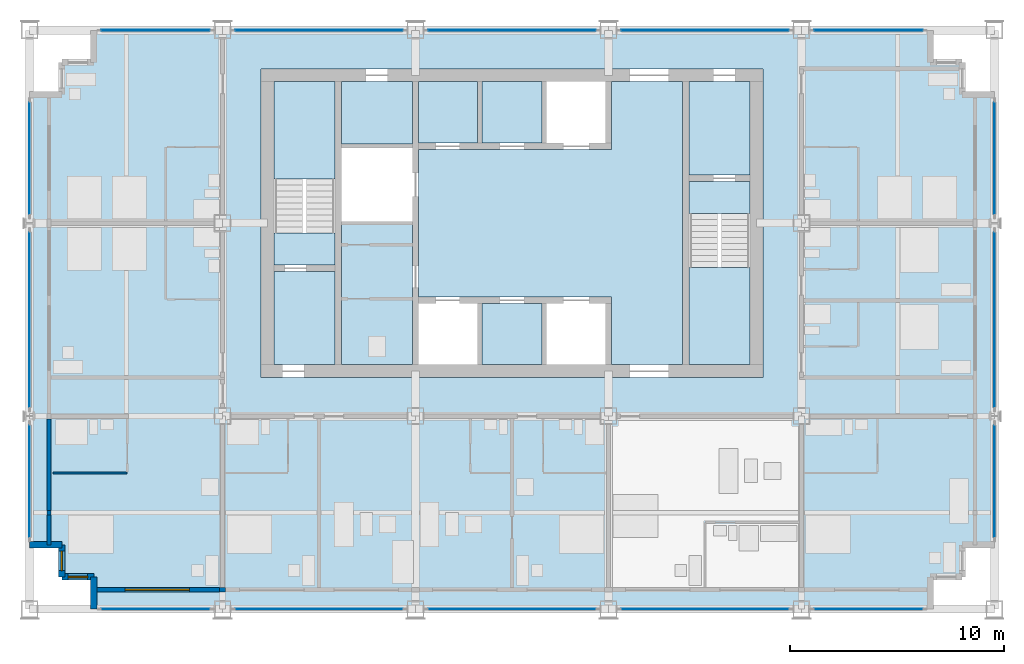
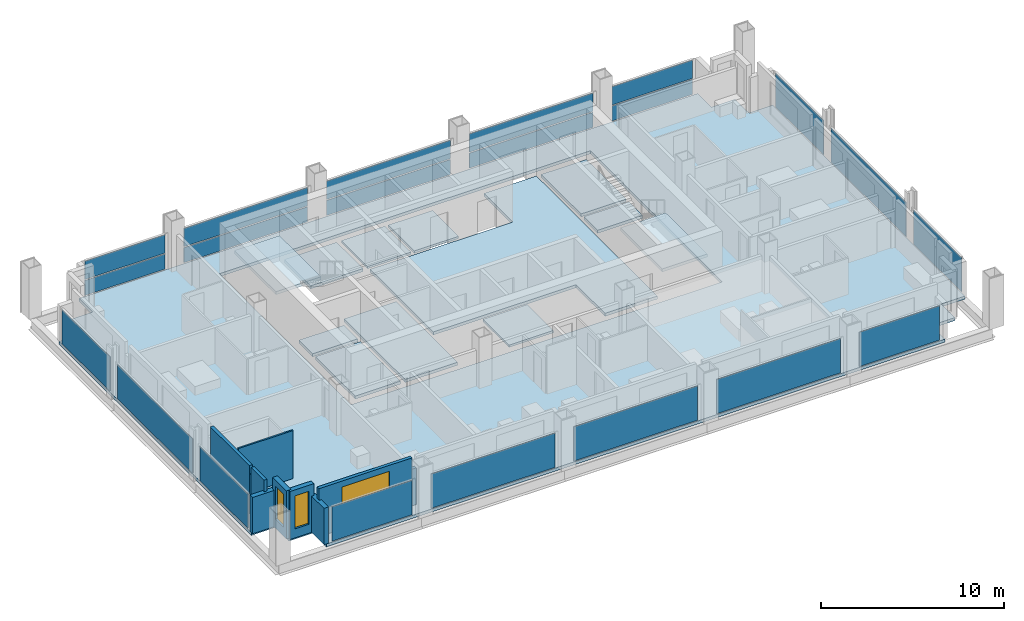
# One storey, part 6 of 13: 21 plates, 13 slabs, 10 walls, 3 windows, 3 openings, 18 elements without a shape of their own.
"""IFC4 building model written with IfcOpenShell, lengths in metres."""

from ifc_helpers import new_model, si_unit, direction, frame, frame_2d, origin, origin_2d, place, context, subcontext, project, spatial, polyline, rectangle, outline, extrude, material, layer, layer_set, type_object, element, fill, aggregate, save


model = new_model("IFC4")

# Units and contexts
model_context = context("Model", 3, precision=1e-05, world=origin(), true_north=direction((0.0, 1.0)))
body_context = subcontext(model_context, "Body", "Model", "MODEL_VIEW")
ifc_project = project(units=[si_unit("LENGTHUNIT", "METRE"), si_unit("AREAUNIT", "SQUARE_METRE"), si_unit("VOLUMEUNIT", "CUBIC_METRE"), si_unit("PLANEANGLEUNIT", "RADIAN"), si_unit("MASSUNIT", "GRAM", prefix="KILO")], contexts=[model_context])

# Site, building, storey
site_placement = place(None, origin())
site = spatial("IfcSite", under=ifc_project, at=site_placement, CompositionType="ELEMENT")
building_placement = place(site_placement, origin())
building = spatial("IfcBuilding", under=site, at=building_placement, Name="Loomwork Tower", CompositionType="ELEMENT")
storey_placement = place(building_placement, frame((0.0, 0.0, 197.800048828125)))
storey = spatial("IfcBuildingStorey", under=building, at=storey_placement, Name="L54", CompositionType="ELEMENT", Elevation=197.800048828125)

# Slabs
ifc_material_1 = material(Name="Concrete 5000 psi (34 MPa) on composite metal deck", Category="concrete")
ifc_layer_1 = layer(ifc_material_1, 0.199951171875)
ifc_layer_set_1 = layer_set([ifc_layer_1], Name="Floor slab 200")
slab_type_1 = type_object("IfcSlabType", Name="Floor slab 200", PredefinedType="FLOOR", material=ifc_layer_set_1)
slab_1_placement = place(storey_placement, frame((0.0, 0.0, -0.199951171875)))
element("IfcSlab", 1, at=slab_1_placement, inside=storey, type_object=slab_type_1, Name="Floor slab L54", PredefinedType="FLOOR", context=body_context, shape_type="SweptSolid", body=[
    extrude(outline(polyline([(3.0, 1.5), (1.5, 1.5), (1.5, 3.0), (0.0, 3.0), (0.0, 24.0), (1.5, 24.0), (1.5, 25.5), (3.0, 25.5), (3.0, 27.0), (42.0, 27.0), (42.0, 25.5), (43.5, 25.5), (43.5, 24.0), (45.0, 24.0), (45.0, 3.0), (43.5, 3.0), (43.5, 1.5), (42.0, 1.5), (42.0, 0.0), (3.0, 0.0), (3.0, 1.5)]), holes=[polyline([(10.800048828125, 11.39990234375), (10.800048828125, 11.39990234375), (10.800048828125, 10.800048828125), (34.199951171875, 10.800048828125), (34.199951171875, 11.39990234375), (34.199951171875, 11.39990234375), (34.199951171875, 24.60009765625), (34.199951171875, 25.199951171875), (10.800048828125, 25.199951171875), (10.800048828125, 24.60009765625), (10.800048828125, 11.39990234375)])]), origin(), (0.0, 0.0, 1.0), 0.199951171875),
])
slab_2_placement = place(storey_placement, frame((0.0, 0.0, -0.199951171875)))
element("IfcSlab", 2, at=slab_2_placement, inside=storey, type_object=slab_type_1, Name="Floor slab L54", PredefinedType="FLOOR", context=body_context, shape_type="SweptSolid", body=[
    extrude(outline(polyline([(30.449951171875, 24.60009765625), (30.449951171875, 11.39990234375), (27.14990234375, 11.39990234375), (27.14990234375, 14.25), (27.14990234375, 14.550048828125), (18.14990234375, 14.550048828125), (18.14990234375, 21.449951171875), (27.14990234375, 21.449951171875), (27.14990234375, 21.75), (27.14990234375, 24.60009765625), (30.449951171875, 24.60009765625)])), origin(), (0.0, 0.0, 1.0), 0.199951171875),
])
slab_3_placement = place(storey_placement, frame((0.0, 0.0, -0.199951171875)))
element("IfcSlab", 3, at=slab_3_placement, inside=storey, type_object=slab_type_1, Name="Floor slab L54", PredefinedType="FLOOR", context=body_context, shape_type="SweptSolid", body=[
    extrude(outline(polyline([(14.550048828125, 11.39990234375), (14.550048828125, 18.074951171875), (17.85009765625, 18.074951171875), (17.85009765625, 11.39990234375), (14.550048828125, 11.39990234375)])), origin(), (0.0, 0.0, 1.0), 0.199951171875),
])
slab_4_placement = place(storey_placement, frame((0.0, 0.0, -0.199951171875)))
element("IfcSlab", 4, at=slab_4_placement, inside=storey, type_object=slab_type_1, Name="Floor slab L54", PredefinedType="FLOOR", context=body_context, shape_type="SweptSolid", body=[
    extrude(outline(polyline([(33.60009765625, 20.25), (30.75, 20.25), (30.75, 24.60009765625), (33.60009765625, 24.60009765625), (33.60009765625, 20.25)])), origin(), (0.0, 0.0, 1.0), 0.199951171875),
])
slab_5_placement = place(storey_placement, frame((0.0, 0.0, -0.199951171875)))
element("IfcSlab", 5, at=slab_5_placement, inside=storey, type_object=slab_type_1, Name="Floor slab L54", PredefinedType="FLOOR", context=body_context, shape_type="SweptSolid", body=[
    extrude(outline(polyline([(14.25, 15.75), (14.25, 11.39990234375), (11.39990234375, 11.39990234375), (11.39990234375, 15.75), (14.25, 15.75)])), origin(), (0.0, 0.0, 1.0), 0.199951171875),
])
slab_6_placement = place(storey_placement, frame((0.0, 0.0, -0.199951171875)))
element("IfcSlab", 6, at=slab_6_placement, inside=storey, type_object=slab_type_1, Name="Floor slab L54", PredefinedType="FLOOR", context=body_context, shape_type="SweptSolid", body=[
    extrude(outline(polyline([(14.550048828125, 21.699951171875), (14.550048828125, 24.60009765625), (17.85009765625, 24.60009765625), (17.85009765625, 21.699951171875), (14.550048828125, 21.699951171875)])), origin(), (0.0, 0.0, 1.0), 0.199951171875),
])

# Curtain wall, plate
ifc_material_2 = material(Name="Aluminium curtain wall frame", Category="aluminium")
curtain_wall_type_1 = type_object("IfcCurtainWallType", Name="Outer skin glazing hotel", PredefinedType="NOTDEFINED", material=ifc_material_2)
curtain_wall_1_placement = place(storey_placement, origin())
curtain_wall_1 = element("IfcCurtainWall", 7, at=curtain_wall_1_placement, inside=storey, type_object=curtain_wall_type_1, Name="Outer skin glazing hotel cw/S-0", PredefinedType="NOTDEFINED")
ifc_material_3 = material(Name="Clear laminated glass", Category="glass")
ifc_layer_2 = layer(ifc_material_3, 0.02392578125)
ifc_layer_set_2 = layer_set([ifc_layer_2], Name="Outer skin glazing hotel panel")
plate_type_1 = type_object("IfcPlateType", Name="Outer skin glazing hotel panel", PredefinedType="CURTAIN_PANEL", material=ifc_layer_set_2)
plate_1_placement = place(storey_placement, frame((5.875, 0.0, 0.06494140625), z_axis=(0.0, 0.0, 1.0), x_axis=(1.0, 0.0, 0.0)))
plate_1 = element("IfcPlate", 8, at=plate_1_placement, type_object=plate_type_1, Name="CW1 panel 1.1", PredefinedType="CURTAIN_PANEL", context=body_context, shape_type="SweptSolid", body=[
    extrude(rectangle(XDim=5.050048828125, YDim=0.02392578125, at=origin_2d()), origin(), (0.0, 0.0, 1.0), 2.290283203125),
])
aggregate(curtain_wall_1, [plate_1])

curtain_wall_2_placement = place(storey_placement, origin())
curtain_wall_2 = element("IfcCurtainWall", 9, at=curtain_wall_2_placement, inside=storey, type_object=curtain_wall_type_1, Name="Outer skin glazing hotel cw/S-9", PredefinedType="NOTDEFINED")
plate_2_placement = place(storey_placement, frame((13.5, 0.0, 0.06494140625), z_axis=(0.0, 0.0, 1.0), x_axis=(1.0, 0.0, 0.0)))
plate_2 = element("IfcPlate", 10, at=plate_2_placement, type_object=plate_type_1, Name="CW1 panel 1.1", PredefinedType="CURTAIN_PANEL", context=body_context, shape_type="SweptSolid", body=[
    extrude(rectangle(XDim=7.800048828125, YDim=0.02392578125, at=origin_2d()), origin(), (0.0, 0.0, 1.0), 2.290283203125),
])
aggregate(curtain_wall_2, [plate_2])

curtain_wall_3_placement = place(storey_placement, origin())
curtain_wall_3 = element("IfcCurtainWall", 11, at=curtain_wall_3_placement, inside=storey, type_object=curtain_wall_type_1, Name="Outer skin glazing hotel cw/S-18", PredefinedType="NOTDEFINED")
plate_3_placement = place(storey_placement, frame((22.5, 0.0, 0.06494140625), z_axis=(0.0, 0.0, 1.0), x_axis=(1.0, 0.0, 0.0)))
plate_3 = element("IfcPlate", 12, at=plate_3_placement, type_object=plate_type_1, Name="CW1 panel 1.1", PredefinedType="CURTAIN_PANEL", context=body_context, shape_type="SweptSolid", body=[
    extrude(rectangle(XDim=7.800048828125, YDim=0.02392578125, at=origin_2d()), origin(), (0.0, 0.0, 1.0), 2.290283203125),
])
aggregate(curtain_wall_3, [plate_3])

curtain_wall_4_placement = place(storey_placement, origin())
curtain_wall_4 = element("IfcCurtainWall", 13, at=curtain_wall_4_placement, inside=storey, type_object=curtain_wall_type_1, Name="Outer skin glazing hotel cw/S-27", PredefinedType="NOTDEFINED")
plate_4_placement = place(storey_placement, frame((31.5, 0.0, 0.06494140625), z_axis=(0.0, 0.0, 1.0), x_axis=(1.0, 0.0, 0.0)))
plate_4 = element("IfcPlate", 14, at=plate_4_placement, type_object=plate_type_1, Name="CW1 panel 1.1", PredefinedType="CURTAIN_PANEL", context=body_context, shape_type="SweptSolid", body=[
    extrude(rectangle(XDim=7.800048828125, YDim=0.02392578125, at=origin_2d()), origin(), (0.0, 0.0, 1.0), 2.290283203125),
])
aggregate(curtain_wall_4, [plate_4])

curtain_wall_5_placement = place(storey_placement, origin())
curtain_wall_5 = element("IfcCurtainWall", 15, at=curtain_wall_5_placement, inside=storey, type_object=curtain_wall_type_1, Name="Outer skin glazing hotel cw/S-36", PredefinedType="NOTDEFINED")
plate_5_placement = place(storey_placement, frame((39.125, 0.0, 0.06494140625), z_axis=(0.0, 0.0, 1.0), x_axis=(1.0, 0.0, 0.0)))
plate_5 = element("IfcPlate", 16, at=plate_5_placement, type_object=plate_type_1, Name="CW1 panel 1.1", PredefinedType="CURTAIN_PANEL", context=body_context, shape_type="SweptSolid", body=[
    extrude(rectangle(XDim=5.050048828125, YDim=0.02392578125, at=origin_2d()), origin(), (0.0, 0.0, 1.0), 2.290283203125),
])
aggregate(curtain_wall_5, [plate_5])

curtain_wall_6_placement = place(storey_placement, origin())
curtain_wall_6 = element("IfcCurtainWall", 17, at=curtain_wall_6_placement, inside=storey, type_object=curtain_wall_type_1, Name="Outer skin glazing hotel cw/W-0", PredefinedType="NOTDEFINED")
plate_6_placement = place(storey_placement, frame((0.0, 5.96826171875, 0.06494140625), z_axis=(0.0, 0.0, 1.0), x_axis=(0.0, -1.0, 0.0)))
plate_6 = element("IfcPlate", 18, at=plate_6_placement, type_object=plate_type_1, Name="CW1 panel 1.1", PredefinedType="CURTAIN_PANEL", context=body_context, shape_type="SweptSolid", body=[
    extrude(rectangle(XDim=5.236572265625, YDim=0.02392578125, at=origin_2d()), origin(), (0.0, 0.0, 1.0), 2.290283203125),
])
aggregate(curtain_wall_6, [plate_6])

curtain_wall_7_placement = place(storey_placement, origin())
curtain_wall_7 = element("IfcCurtainWall", 19, at=curtain_wall_7_placement, inside=storey, type_object=curtain_wall_type_1, Name="Outer skin glazing hotel cw/W-9", PredefinedType="NOTDEFINED")
plate_7_placement = place(storey_placement, frame((0.0, 13.5, 0.06494140625), z_axis=(0.0, 0.0, 1.0), x_axis=(0.0, -1.0, 0.0)))
plate_7 = element("IfcPlate", 20, at=plate_7_placement, type_object=plate_type_1, Name="CW1 panel 1.1", PredefinedType="CURTAIN_PANEL", context=body_context, shape_type="SweptSolid", body=[
    extrude(rectangle(XDim=8.173095703125, YDim=0.02392578125, at=origin_2d()), origin(), (0.0, 0.0, 1.0), 2.290283203125),
])
aggregate(curtain_wall_7, [plate_7])

curtain_wall_8_placement = place(storey_placement, origin())
curtain_wall_8 = element("IfcCurtainWall", 21, at=curtain_wall_8_placement, inside=storey, type_object=curtain_wall_type_1, Name="Outer skin glazing hotel cw/W-18", PredefinedType="NOTDEFINED")
plate_8_placement = place(storey_placement, frame((0.0, 21.03173828125, 0.06494140625), z_axis=(0.0, 0.0, 1.0), x_axis=(0.0, -1.0, 0.0)))
plate_8 = element("IfcPlate", 22, at=plate_8_placement, type_object=plate_type_1, Name="CW1 panel 1.1", PredefinedType="CURTAIN_PANEL", context=body_context, shape_type="SweptSolid", body=[
    extrude(rectangle(XDim=5.236572265625, YDim=0.02392578125, at=origin_2d()), origin(), (0.0, 0.0, 1.0), 2.290283203125),
])
aggregate(curtain_wall_8, [plate_8])

curtain_wall_9_placement = place(storey_placement, origin())
curtain_wall_9 = element("IfcCurtainWall", 23, at=curtain_wall_9_placement, inside=storey, type_object=curtain_wall_type_1, Name="Outer skin glazing hotel cw/E-0", PredefinedType="NOTDEFINED")
plate_9_placement = place(storey_placement, frame((45.0, 5.96826171875, 0.06494140625), z_axis=(0.0, 0.0, 1.0), x_axis=(0.0, 1.0, 0.0)))
plate_9 = element("IfcPlate", 24, at=plate_9_placement, type_object=plate_type_1, Name="CW1 panel 1.1", PredefinedType="CURTAIN_PANEL", context=body_context, shape_type="SweptSolid", body=[
    extrude(rectangle(XDim=5.236572265625, YDim=0.02392578125, at=origin_2d()), origin(), (0.0, 0.0, 1.0), 2.290283203125),
])
aggregate(curtain_wall_9, [plate_9])

curtain_wall_10_placement = place(storey_placement, origin())
curtain_wall_10 = element("IfcCurtainWall", 25, at=curtain_wall_10_placement, inside=storey, type_object=curtain_wall_type_1, Name="Outer skin glazing hotel cw/E-9", PredefinedType="NOTDEFINED")
plate_10_placement = place(storey_placement, frame((45.0, 13.5, 0.06494140625), z_axis=(0.0, 0.0, 1.0), x_axis=(0.0, 1.0, 0.0)))
plate_10 = element("IfcPlate", 26, at=plate_10_placement, type_object=plate_type_1, Name="CW1 panel 1.1", PredefinedType="CURTAIN_PANEL", context=body_context, shape_type="SweptSolid", body=[
    extrude(rectangle(XDim=8.173095703125, YDim=0.02392578125, at=origin_2d()), origin(), (0.0, 0.0, 1.0), 2.290283203125),
])
aggregate(curtain_wall_10, [plate_10])

curtain_wall_11_placement = place(storey_placement, origin())
curtain_wall_11 = element("IfcCurtainWall", 27, at=curtain_wall_11_placement, inside=storey, type_object=curtain_wall_type_1, Name="Outer skin glazing hotel cw/E-18", PredefinedType="NOTDEFINED")
plate_11_placement = place(storey_placement, frame((45.0, 21.03173828125, 0.06494140625), z_axis=(0.0, 0.0, 1.0), x_axis=(0.0, 1.0, 0.0)))
plate_11 = element("IfcPlate", 28, at=plate_11_placement, type_object=plate_type_1, Name="CW1 panel 1.1", PredefinedType="CURTAIN_PANEL", context=body_context, shape_type="SweptSolid", body=[
    extrude(rectangle(XDim=5.236572265625, YDim=0.02392578125, at=origin_2d()), origin(), (0.0, 0.0, 1.0), 2.290283203125),
])
aggregate(curtain_wall_11, [plate_11])

# Slabs
ifc_material_4 = material(Name="Concrete 5000 psi (34 MPa) on composite metal deck", Category="concrete")
ifc_layer_3 = layer(ifc_material_4, 0.14990234375)
ifc_layer_set_3 = layer_set([ifc_layer_3], Name="Shaft infill floor 150")
slab_type_2 = type_object("IfcSlabType", Name="Shaft infill floor 150", PredefinedType="FLOOR", material=ifc_layer_set_3)
slab_7_placement = place(storey_placement, frame((0.0, 0.0, -0.150146484375)))
element("IfcSlab", 29, at=slab_7_placement, inside=storey, type_object=slab_type_2, Name="Shaft infill floor LS1 L54", PredefinedType="FLOOR", context=body_context, shape_type="SweptSolid", body=[
    extrude(outline(polyline([(18.14990234375, 21.75), (20.89990234375, 21.75), (20.89990234375, 24.60009765625), (18.14990234375, 24.60009765625), (18.14990234375, 21.75)])), origin(), (0.0, 0.0, 1.0), 0.150146484375),
])
slab_8_placement = place(storey_placement, frame((0.0, 0.0, -0.150146484375)))
element("IfcSlab", 30, at=slab_8_placement, inside=storey, type_object=slab_type_2, Name="Shaft infill floor LS2 L54", PredefinedType="FLOOR", context=body_context, shape_type="SweptSolid", body=[
    extrude(outline(polyline([(21.10009765625, 21.75), (23.89990234375, 21.75), (23.89990234375, 24.60009765625), (21.10009765625, 24.60009765625), (21.10009765625, 21.75)])), origin(), (0.0, 0.0, 1.0), 0.150146484375),
])
slab_9_placement = place(storey_placement, frame((0.0, 0.0, -0.150146484375)))
element("IfcSlab", 31, at=slab_9_placement, inside=storey, type_object=slab_type_2, Name="Shaft infill floor S2 L54", PredefinedType="FLOOR", context=body_context, shape_type="SweptSolid", body=[
    extrude(outline(polyline([(21.10009765625, 11.39990234375), (23.89990234375, 11.39990234375), (23.89990234375, 14.25), (21.10009765625, 14.25), (21.10009765625, 11.39990234375)])), origin(), (0.0, 0.0, 1.0), 0.150146484375),
])

# Curtain wall, plates
ifc_material_5 = material(Name="Aluminium curtain wall frame", Category="aluminium")
curtain_wall_type_2 = type_object("IfcCurtainWallType", Name="Single skin glazing corridor", PredefinedType="NOTDEFINED", material=ifc_material_5)
curtain_wall_12_placement = place(storey_placement, origin())
curtain_wall_12 = element("IfcCurtainWall", 32, at=curtain_wall_12_placement, inside=storey, type_object=curtain_wall_type_2, Name="Single skin glazing corridor cw/N-0", PredefinedType="NOTDEFINED")
ifc_material_6 = material(Name="Clear insulated glass", Category="glass")
ifc_layer_4 = layer(ifc_material_6, 0.031982421875)
ifc_layer_set_4 = layer_set([ifc_layer_4], Name="Single skin glazing corridor panel")
plate_type_2 = type_object("IfcPlateType", Name="Single skin glazing corridor panel", PredefinedType="CURTAIN_PANEL", material=ifc_layer_set_4)
plate_12_placement = place(storey_placement, frame((5.875, 27.0, 0.06494140625), z_axis=(0.0, 0.0, 1.0), x_axis=(-1.0, 0.0, 0.0)))
plate_12 = element("IfcPlate", 33, at=plate_12_placement, type_object=plate_type_2, Name="CW3 panel 1.1", PredefinedType="CURTAIN_PANEL", context=body_context, shape_type="SweptSolid", body=[
    extrude(rectangle(XDim=5.050048828125, YDim=0.031982421875, at=origin_2d()), origin(), (0.0, 0.0, 1.0), 1.00244140625),
])
plate_13_placement = place(storey_placement, frame((5.875, 27.0, 1.132568359375), z_axis=(0.0, 0.0, 1.0), x_axis=(-1.0, 0.0, 0.0)))
plate_13 = element("IfcPlate", 34, at=plate_13_placement, type_object=plate_type_2, Name="CW3 panel 1.2", PredefinedType="CURTAIN_PANEL", context=body_context, shape_type="SweptSolid", body=[
    extrude(rectangle(XDim=5.050048828125, YDim=0.031982421875, at=origin_2d()), origin(), (0.0, 0.0, 1.0), 1.22265625),
])
aggregate(curtain_wall_12, [plate_12, plate_13])

curtain_wall_13_placement = place(storey_placement, origin())
curtain_wall_13 = element("IfcCurtainWall", 35, at=curtain_wall_13_placement, inside=storey, type_object=curtain_wall_type_2, Name="Single skin glazing corridor cw/N-9", PredefinedType="NOTDEFINED")
plate_14_placement = place(storey_placement, frame((13.5, 27.0, 0.06494140625), z_axis=(0.0, 0.0, 1.0), x_axis=(-1.0, 0.0, 0.0)))
plate_14 = element("IfcPlate", 36, at=plate_14_placement, type_object=plate_type_2, Name="CW3 panel 1.1", PredefinedType="CURTAIN_PANEL", context=body_context, shape_type="SweptSolid", body=[
    extrude(rectangle(XDim=7.800048828125, YDim=0.031982421875, at=origin_2d()), origin(), (0.0, 0.0, 1.0), 1.00244140625),
])
plate_15_placement = place(storey_placement, frame((13.5, 27.0, 1.132568359375), z_axis=(0.0, 0.0, 1.0), x_axis=(-1.0, 0.0, 0.0)))
plate_15 = element("IfcPlate", 37, at=plate_15_placement, type_object=plate_type_2, Name="CW3 panel 1.2", PredefinedType="CURTAIN_PANEL", context=body_context, shape_type="SweptSolid", body=[
    extrude(rectangle(XDim=7.800048828125, YDim=0.031982421875, at=origin_2d()), origin(), (0.0, 0.0, 1.0), 1.22265625),
])
aggregate(curtain_wall_13, [plate_14, plate_15])

curtain_wall_14_placement = place(storey_placement, origin())
curtain_wall_14 = element("IfcCurtainWall", 38, at=curtain_wall_14_placement, inside=storey, type_object=curtain_wall_type_2, Name="Single skin glazing corridor cw/N-18", PredefinedType="NOTDEFINED")
plate_16_placement = place(storey_placement, frame((22.5, 27.0, 0.06494140625), z_axis=(0.0, 0.0, 1.0), x_axis=(-1.0, 0.0, 0.0)))
plate_16 = element("IfcPlate", 39, at=plate_16_placement, type_object=plate_type_2, Name="CW3 panel 1.1", PredefinedType="CURTAIN_PANEL", context=body_context, shape_type="SweptSolid", body=[
    extrude(rectangle(XDim=7.800048828125, YDim=0.031982421875, at=origin_2d()), origin(), (0.0, 0.0, 1.0), 1.00244140625),
])
plate_17_placement = place(storey_placement, frame((22.5, 27.0, 1.132568359375), z_axis=(0.0, 0.0, 1.0), x_axis=(-1.0, 0.0, 0.0)))
plate_17 = element("IfcPlate", 40, at=plate_17_placement, type_object=plate_type_2, Name="CW3 panel 1.2", PredefinedType="CURTAIN_PANEL", context=body_context, shape_type="SweptSolid", body=[
    extrude(rectangle(XDim=7.800048828125, YDim=0.031982421875, at=origin_2d()), origin(), (0.0, 0.0, 1.0), 1.22265625),
])
aggregate(curtain_wall_14, [plate_16, plate_17])

curtain_wall_15_placement = place(storey_placement, origin())
curtain_wall_15 = element("IfcCurtainWall", 41, at=curtain_wall_15_placement, inside=storey, type_object=curtain_wall_type_2, Name="Single skin glazing corridor cw/N-27", PredefinedType="NOTDEFINED")
plate_18_placement = place(storey_placement, frame((31.5, 27.0, 0.06494140625), z_axis=(0.0, 0.0, 1.0), x_axis=(-1.0, 0.0, 0.0)))
plate_18 = element("IfcPlate", 42, at=plate_18_placement, type_object=plate_type_2, Name="CW3 panel 1.1", PredefinedType="CURTAIN_PANEL", context=body_context, shape_type="SweptSolid", body=[
    extrude(rectangle(XDim=7.800048828125, YDim=0.031982421875, at=origin_2d()), origin(), (0.0, 0.0, 1.0), 1.00244140625),
])
plate_19_placement = place(storey_placement, frame((31.5, 27.0, 1.132568359375), z_axis=(0.0, 0.0, 1.0), x_axis=(-1.0, 0.0, 0.0)))
plate_19 = element("IfcPlate", 43, at=plate_19_placement, type_object=plate_type_2, Name="CW3 panel 1.2", PredefinedType="CURTAIN_PANEL", context=body_context, shape_type="SweptSolid", body=[
    extrude(rectangle(XDim=7.800048828125, YDim=0.031982421875, at=origin_2d()), origin(), (0.0, 0.0, 1.0), 1.22265625),
])
aggregate(curtain_wall_15, [plate_18, plate_19])

curtain_wall_16_placement = place(storey_placement, origin())
curtain_wall_16 = element("IfcCurtainWall", 44, at=curtain_wall_16_placement, inside=storey, type_object=curtain_wall_type_2, Name="Single skin glazing corridor cw/N-36", PredefinedType="NOTDEFINED")
plate_20_placement = place(storey_placement, frame((39.125, 27.0, 0.06494140625), z_axis=(0.0, 0.0, 1.0), x_axis=(-1.0, 0.0, 0.0)))
plate_20 = element("IfcPlate", 45, at=plate_20_placement, type_object=plate_type_2, Name="CW3 panel 1.1", PredefinedType="CURTAIN_PANEL", context=body_context, shape_type="SweptSolid", body=[
    extrude(rectangle(XDim=5.050048828125, YDim=0.031982421875, at=origin_2d()), origin(), (0.0, 0.0, 1.0), 1.00244140625),
])
plate_21_placement = place(storey_placement, frame((39.125, 27.0, 1.132568359375), z_axis=(0.0, 0.0, 1.0), x_axis=(-1.0, 0.0, 0.0)))
plate_21 = element("IfcPlate", 46, at=plate_21_placement, type_object=plate_type_2, Name="CW3 panel 1.2", PredefinedType="CURTAIN_PANEL", context=body_context, shape_type="SweptSolid", body=[
    extrude(rectangle(XDim=5.050048828125, YDim=0.031982421875, at=origin_2d()), origin(), (0.0, 0.0, 1.0), 1.22265625),
])
aggregate(curtain_wall_16, [plate_20, plate_21])

# Stair, slabs
ifc_material_7 = material(Name="Concrete 5000 psi (34 MPa) precast stair", Category="concrete")
stair_type_1 = type_object("IfcStairType", Name="Stair ST-A 20 risers 2850 wide", PredefinedType="HALF_TURN_STAIR", material=ifc_material_7)
stair_1_placement = place(storey_placement, origin())
stair_1 = element("IfcStair", 47, at=stair_1_placement, inside=storey, type_object=stair_type_1, Name="Stair A L54", PredefinedType="HALF_TURN_STAIR")
ifc_material_8 = material(Name="Concrete 5000 psi (34 MPa)", Category="concrete")
ifc_layer_5 = layer(ifc_material_8, 0.199951171875)
ifc_layer_set_5 = layer_set([ifc_layer_5], Name="Stair landing 200")
slab_type_3 = type_object("IfcSlabType", Name="Stair landing 200", PredefinedType="LANDING", material=ifc_layer_set_5)
slab_10_placement = place(storey_placement, frame((0.0, 0.0, -0.199951171875)))
slab_10 = element("IfcSlab", 48, at=slab_10_placement, type_object=slab_type_3, Name="ST-A landing 1", PredefinedType="LANDING", context=body_context, shape_type="SweptSolid", body=[
    extrude(outline(polyline([(11.39990234375, 16.050048828125), (14.25, 16.050048828125), (14.25, 17.550048828125), (11.39990234375, 17.550048828125), (11.39990234375, 16.050048828125)])), origin(), (0.0, 0.0, 1.0), 0.199951171875),
])
slab_11_placement = place(storey_placement, frame((0.0, 0.0, 1.5)))
slab_11 = element("IfcSlab", 49, at=slab_11_placement, type_object=slab_type_3, Name="ST-A landing 2", PredefinedType="LANDING", context=body_context, shape_type="SweptSolid", body=[
    extrude(outline(polyline([(11.39990234375, 20.070068359375), (14.25, 20.070068359375), (14.25, 24.60009765625), (11.39990234375, 24.60009765625), (11.39990234375, 20.070068359375)])), origin(), (0.0, 0.0, 1.0), 0.199951171875),
])
aggregate(stair_1, [slab_10, slab_11])

ifc_material_9 = material(Name="Concrete 5000 psi (34 MPa) precast stair", Category="concrete")
stair_type_2 = type_object("IfcStairType", Name="Stair ST-B 20 risers 2850 wide", PredefinedType="HALF_TURN_STAIR", material=ifc_material_9)
stair_2_placement = place(storey_placement, origin())
stair_2 = element("IfcStair", 50, at=stair_2_placement, inside=storey, type_object=stair_type_2, Name="Stair B L54", PredefinedType="HALF_TURN_STAIR")
slab_12_placement = place(storey_placement, frame((0.0, 0.0, -0.199951171875)))
slab_12 = element("IfcSlab", 51, at=slab_12_placement, type_object=slab_type_3, Name="ST-B landing 1", PredefinedType="LANDING", context=body_context, shape_type="SweptSolid", body=[
    extrude(outline(polyline([(30.75, 18.449951171875), (33.60009765625, 18.449951171875), (33.60009765625, 19.949951171875), (30.75, 19.949951171875), (30.75, 18.449951171875)])), origin(), (0.0, 0.0, 1.0), 0.199951171875),
])
slab_13_placement = place(storey_placement, frame((0.0, 0.0, 1.5)))
slab_13 = element("IfcSlab", 52, at=slab_13_placement, type_object=slab_type_3, Name="ST-B landing 2", PredefinedType="LANDING", context=body_context, shape_type="SweptSolid", body=[
    extrude(outline(polyline([(30.75, 11.39990234375), (33.60009765625, 11.39990234375), (33.60009765625, 15.929931640625), (30.75, 15.929931640625), (30.75, 11.39990234375)])), origin(), (0.0, 0.0, 1.0), 0.199951171875),
])
aggregate(stair_2, [slab_12, slab_13])

# Wall
ifc_material_10 = material(Name="Cement board on steel studs", Category="steel")
ifc_layer_6 = layer(ifc_material_10, 0.10009765625)
ifc_layer_set_6 = layer_set([ifc_layer_6], Name="En-suite partition 100")
wall_type_1 = type_object("IfcWallType", Name="En-suite partition 100", PredefinedType="PARTITIONING", material=ifc_layer_set_6)
wall_1_placement = place(storey_placement, frame((1.10009765625, 6.35009765625, 0.0), z_axis=(0.0, 0.0, 1.0), x_axis=(1.0, 0.0, 0.0)))
element("IfcWall", 53, at=wall_1_placement, inside=storey, type_object=wall_type_1, Name="En-suite wall L54 room 1", PredefinedType="PARTITIONING", context=body_context, shape_type="SweptSolid", body=[
    extrude(rectangle(XDim=3.449951171875, YDim=0.10009765625, at=frame_2d((1.72509765625, 0.0))), origin(), (0.0, 0.0, 1.0), 3.199951171875),
])

# Wall, opening, window
ifc_material_11 = material(Name="Insulated steel stud wall with gypsum lining", Category="steel")
ifc_layer_7 = layer(ifc_material_11, 0.199951171875)
ifc_layer_set_7 = layer_set([ifc_layer_7], Name="Inner skin wall 200")
wall_type_2 = type_object("IfcWallType", Name="Inner skin wall 200", PredefinedType="SOLIDWALL", material=ifc_layer_set_7)
wall_2_placement = place(storey_placement, frame((3.0, 0.89990234375, 0.0), z_axis=(0.0, 0.0, 1.0), x_axis=(1.0, 0.0, 0.0)))
wall_2 = element("IfcWall", 54, at=wall_2_placement, inside=storey, type_object=wall_type_2, Name="Inner skin wall S", PredefinedType="SOLIDWALL", context=body_context, shape_type="SweptSolid", body=[
    extrude(rectangle(XDim=5.86474609375, YDim=0.199951171875, at=frame_2d((2.932373046875, 0.0))), origin(), (0.0, 0.0, 1.0), 3.199951171875),
])
opening_1_placement = place(wall_2_placement, frame((1.449951171875, 0.0, 0.60009765625)))
opening_1 = element("IfcOpeningElement", 55, at=opening_1_placement, cuts=wall_2, Name="Opening CH1", PredefinedType="OPENING", context=body_context, shape_type="SweptSolid", body=[
    extrude(rectangle(XDim=3.0, YDim=2.199951171875, at=frame_2d((1.5, 1.10009765625))), frame((0.0, 0.10986328125, 0.0), z_axis=(0.0, -1.0, 0.0), x_axis=(1.0, 0.0, 0.0)), (0.0, 0.0, 1.0), 0.219970703125),
])
ifc_material_12 = material(Name="Aluminium frame with clear insulated glass", Category="aluminium")
window_type_1 = type_object("IfcWindowType", Name="Chicago window 3000", PartitioningType="TRIPLE_PANEL_VERTICAL", PredefinedType="WINDOW", material=ifc_material_12)
window_1_placement = place(opening_1_placement, origin())
window_1 = element("IfcWindow", 56, at=window_1_placement, inside=storey, type_object=window_type_1, Name="Chicago window L54 bay 1", OverallHeight=2.199951171875, OverallWidth=3.0, PartitioningType="TRIPLE_PANEL_VERTICAL", PredefinedType="WINDOW", context=body_context, shape_type="SweptSolid", body=[
    extrude(rectangle(XDim=3.0, YDim=2.199951171875, at=frame_2d((1.5, 1.10009765625))), frame((0.0, 0.030029296875, 0.0), z_axis=(0.0, -1.0, 0.0), x_axis=(1.0, 0.0, 0.0)), (0.0, 0.0, 1.0), 0.06005859375),
])
fill(opening_1, window_1)

# Walls
wall_3_placement = place(storey_placement, frame((0.89990234375, 3.0, 0.0), z_axis=(0.0, 0.0, 1.0), x_axis=(0.0, 1.0, 0.0)))
element("IfcWall", 57, at=wall_3_placement, inside=storey, type_object=wall_type_2, Name="Inner skin wall W", PredefinedType="SOLIDWALL", context=body_context, shape_type="SweptSolid", body=[
    extrude(rectangle(XDim=1.392578125, YDim=0.199951171875, at=frame_2d((0.6962890625, 0.0))), origin(), (0.0, 0.0, 1.0), 3.199951171875),
])
wall_4_placement = place(storey_placement, frame((8.86474609375, 0.89990234375, 0.0), z_axis=(0.0, 0.0, 1.0), x_axis=(1.0, 0.0, 0.0)))
element("IfcWall", 58, at=wall_4_placement, inside=storey, type_object=wall_type_2, Name="Inner skin wall S bay 2", PredefinedType="SOLIDWALL", context=body_context, shape_type="SweptSolid", body=[
    extrude(rectangle(XDim=0.2705078125, YDim=0.199951171875, at=frame_2d((0.13525390625, 0.0))), origin(), (0.0, 0.0, 1.0), 2.43798828125),
])
wall_5_placement = place(storey_placement, frame((0.89990234375, 4.392578125, 0.0), z_axis=(0.0, 0.0, 1.0), x_axis=(0.0, 1.0, 0.0)))
element("IfcWall", 59, at=wall_5_placement, inside=storey, type_object=wall_type_2, Name="Inner skin wall W bay 2", PredefinedType="SOLIDWALL", context=body_context, shape_type="SweptSolid", body=[
    extrude(rectangle(XDim=0.21484375, YDim=0.199951171875, at=frame_2d((0.107421875, 0.0))), origin(), (0.0, 0.0, 1.0), 2.660888671875),
])
wall_6_placement = place(storey_placement, frame((0.89990234375, 4.607421875, 0.0), z_axis=(0.0, 0.0, 1.0), x_axis=(0.0, 1.0, 0.0)))
element("IfcWall", 60, at=wall_6_placement, inside=storey, type_object=wall_type_2, Name="Inner skin wall W bay 3", PredefinedType="SOLIDWALL", context=body_context, shape_type="SweptSolid", body=[
    extrude(rectangle(XDim=4.25732421875, YDim=0.199951171875, at=frame_2d((2.128662109375, 0.0))), origin(), (0.0, 0.0, 1.0), 3.199951171875),
])
ifc_material_13 = material(Name="Limestone on concrete masonry", Category="masonry")
ifc_layer_8 = layer(ifc_material_13, 0.300048828125)
ifc_layer_set_8 = layer_set([ifc_layer_8], Name="Limestone corner wall 300")
wall_type_3 = type_object("IfcWallType", Name="Limestone corner wall 300", PredefinedType="SOLIDWALL", material=ifc_layer_set_8)
wall_7_placement = place(storey_placement, frame((0.0, 3.0, 0.0), z_axis=(0.0, 0.0, 1.0), x_axis=(1.0, 0.0, 0.0)))
element("IfcWall", 61, at=wall_7_placement, inside=storey, type_object=wall_type_3, Name="Stone corner wall SW 1", PredefinedType="SOLIDWALL", context=body_context, shape_type="SweptSolid", body=[
    extrude(rectangle(XDim=1.5, YDim=0.300048828125, at=frame_2d((0.75, 0.0))), origin(), (0.0, 0.0, 1.0), 2.419921875),
])

# Wall, opening, window
wall_8_placement = place(storey_placement, frame((1.5, 3.0, 0.0), z_axis=(0.0, 0.0, 1.0), x_axis=(0.0, -1.0, 0.0)))
wall_8 = element("IfcWall", 62, at=wall_8_placement, inside=storey, type_object=wall_type_3, Name="Stone corner wall SW 2", PredefinedType="SOLIDWALL", context=body_context, shape_type="SweptSolid", body=[
    extrude(rectangle(XDim=1.5, YDim=0.300048828125, at=frame_2d((0.75, 0.0))), origin(), (0.0, 0.0, 1.0), 3.199951171875),
])
opening_2_placement = place(wall_8_placement, frame((0.300048828125, 0.0, 0.60009765625)))
opening_2 = element("IfcOpeningElement", 63, at=opening_2_placement, cuts=wall_8, Name="Opening CH2", PredefinedType="OPENING", context=body_context, shape_type="SweptSolid", body=[
    extrude(rectangle(XDim=0.89990234375, YDim=2.199951171875, at=frame_2d((0.449951171875, 1.10009765625))), frame((0.0, 0.159912109375, 0.0), z_axis=(0.0, -1.0, 0.0), x_axis=(1.0, 0.0, 0.0)), (0.0, 0.0, 1.0), 0.320068359375),
])
ifc_material_14 = material(Name="Aluminium frame with clear insulated glass", Category="aluminium")
window_type_2 = type_object("IfcWindowType", Name="Corner window 900", PartitioningType="SINGLE_PANEL", PredefinedType="WINDOW", material=ifc_material_14)
window_2_placement = place(opening_2_placement, origin())
window_2 = element("IfcWindow", 64, at=window_2_placement, inside=storey, type_object=window_type_2, Name="Corner window SW", OverallHeight=2.199951171875, OverallWidth=0.89990234375, PartitioningType="SINGLE_PANEL", PredefinedType="WINDOW", context=body_context, shape_type="SweptSolid", body=[
    extrude(rectangle(XDim=0.89990234375, YDim=2.199951171875, at=frame_2d((0.449951171875, 1.10009765625))), frame((0.0, 0.030029296875, 0.0), z_axis=(0.0, -1.0, 0.0), x_axis=(1.0, 0.0, 0.0)), (0.0, 0.0, 1.0), 0.06005859375),
])
fill(opening_2, window_2)

wall_9_placement = place(storey_placement, frame((1.5, 1.5, 0.0), z_axis=(0.0, 0.0, 1.0), x_axis=(1.0, 0.0, 0.0)))
wall_9 = element("IfcWall", 65, at=wall_9_placement, inside=storey, type_object=wall_type_3, Name="Stone corner wall SW 3", PredefinedType="SOLIDWALL", context=body_context, shape_type="SweptSolid", body=[
    extrude(rectangle(XDim=1.5, YDim=0.300048828125, at=frame_2d((0.75, 0.0))), origin(), (0.0, 0.0, 1.0), 3.199951171875),
])
opening_3_placement = place(wall_9_placement, frame((0.300048828125, 0.0, 0.60009765625)))
opening_3 = element("IfcOpeningElement", 66, at=opening_3_placement, cuts=wall_9, Name="Opening CH2", PredefinedType="OPENING", context=body_context, shape_type="SweptSolid", body=[
    extrude(rectangle(XDim=0.89990234375, YDim=2.199951171875, at=frame_2d((0.449951171875, 1.10009765625))), frame((0.0, 0.159912109375, 0.0), z_axis=(0.0, -1.0, 0.0), x_axis=(1.0, 0.0, 0.0)), (0.0, 0.0, 1.0), 0.320068359375),
])
window_3_placement = place(opening_3_placement, origin())
window_3 = element("IfcWindow", 67, at=window_3_placement, inside=storey, type_object=window_type_2, Name="Corner window SW", OverallHeight=2.199951171875, OverallWidth=0.89990234375, PartitioningType="SINGLE_PANEL", PredefinedType="WINDOW", context=body_context, shape_type="SweptSolid", body=[
    extrude(rectangle(XDim=0.89990234375, YDim=2.199951171875, at=frame_2d((0.449951171875, 1.10009765625))), frame((0.0, 0.030029296875, 0.0), z_axis=(0.0, -1.0, 0.0), x_axis=(1.0, 0.0, 0.0)), (0.0, 0.0, 1.0), 0.06005859375),
])
fill(opening_3, window_3)

# Wall
wall_10_placement = place(storey_placement, frame((3.0, 1.5, 0.0), z_axis=(0.0, 0.0, 1.0), x_axis=(0.0, -1.0, 0.0)))
element("IfcWall", 68, at=wall_10_placement, inside=storey, type_object=wall_type_3, Name="Stone corner wall SW 4", PredefinedType="SOLIDWALL", context=body_context, shape_type="SweptSolid", body=[
    extrude(rectangle(XDim=1.5, YDim=0.300048828125, at=frame_2d((0.75, 0.0))), origin(), (0.0, 0.0, 1.0), 2.419921875),
])

save(model, "model.ifc")
